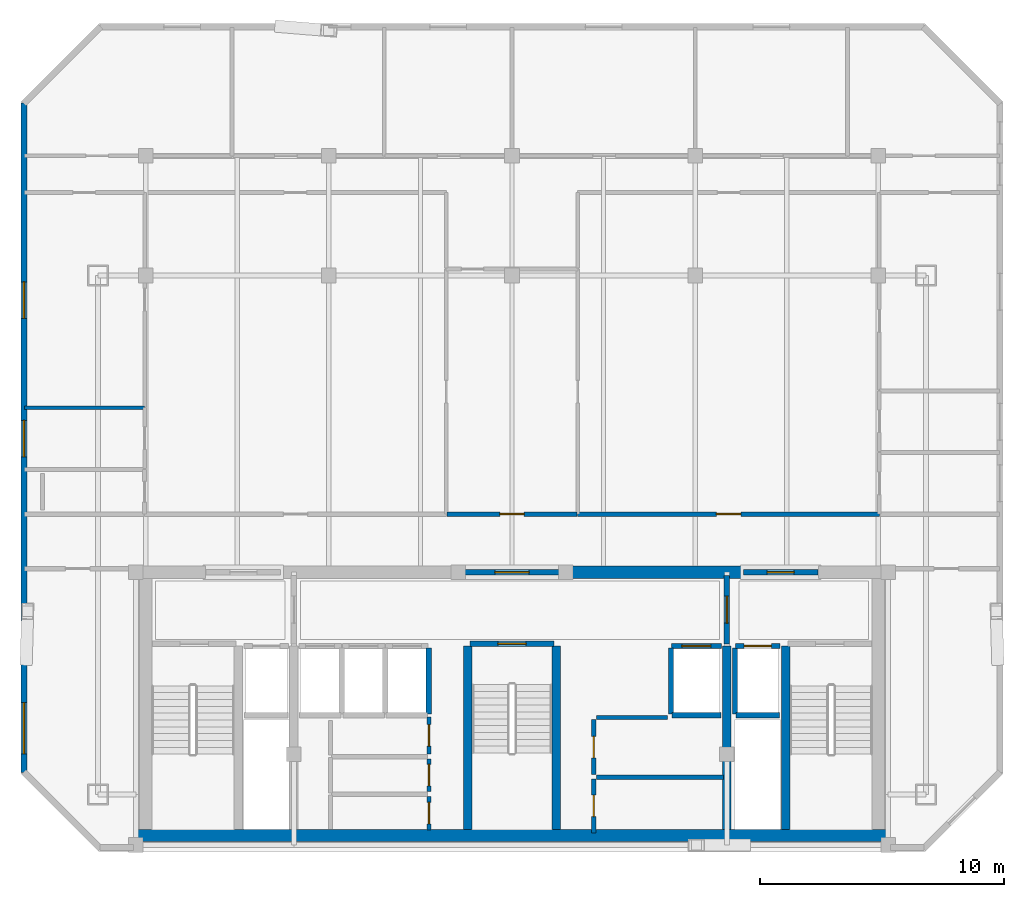
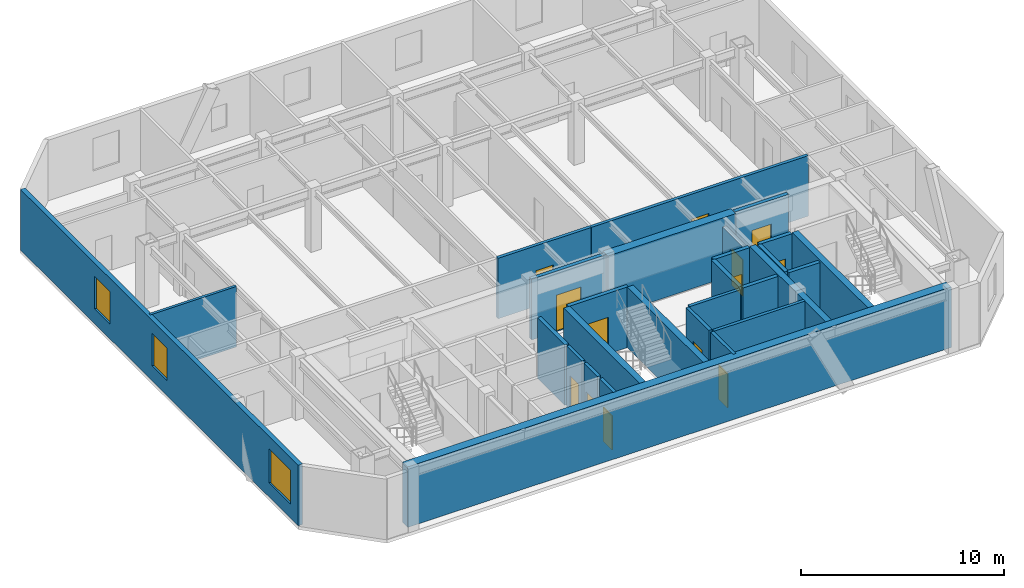
# One storey, part 3 of 6: 28 walls, 13 doors, 3 windows, 16 openings.
"""IFC4 building model written with IfcOpenShell, lengths in metres."""

from ifc_helpers import new_model, si_unit, direction, frame, frame_2d, origin, place, context, subcontext, project, spatial, rectangle, extrude, material, layer, layer_set, type_object, element, fill, save


model = new_model("IFC4")

# Units and contexts
model_context = context("Model", 3, precision=1e-05, world=origin(), true_north=direction((0.0, 1.0)))
body_context = subcontext(model_context, "Body", "Model", "MODEL_VIEW")
ifc_project = project(units=[si_unit("LENGTHUNIT", "METRE"), si_unit("AREAUNIT", "SQUARE_METRE"), si_unit("VOLUMEUNIT", "CUBIC_METRE"), si_unit("PLANEANGLEUNIT", "RADIAN"), si_unit("MASSUNIT", "GRAM", prefix="KILO")], contexts=[model_context])

# Site, building, storey
site_placement = place(None, origin())
site = spatial("IfcSite", under=ifc_project, at=site_placement, CompositionType="ELEMENT")
building_placement = place(site_placement, origin())
building = spatial("IfcBuilding", under=site, at=building_placement, Name="Ventersveld Concourse Tower", CompositionType="ELEMENT")
storey_placement = place(building_placement, frame((0.0, 0.0, 296.449951171875)))
storey = spatial("IfcBuildingStorey", under=building, at=storey_placement, Name="L73", CompositionType="ELEMENT", Elevation=296.449951171875)

# Walls
ifc_material_1 = material(Name="Concrete C50/60", Category="concrete")
ifc_layer_1 = layer(ifc_material_1, 0.35009765625)
ifc_layer_set_1 = layer_set([ifc_layer_1], Name="Concrete C50/60")
wall_type_1 = type_object("IfcWallType", Name="WL-CORE-350U", PredefinedType="SHEAR", material=ifc_layer_set_1)
for number, where, z_axis, x_axis, name in (
    (1, (26.93994140625, 0.919921875, 0.0), (0.0, 0.0, 1.0), (0.0, 1.0, 0.0), "L73 Core Internal Shear Web W-ST3-W"),
    (2, (30.56005859375, 0.919921875, 0.0), (0.0, 0.0, 1.0), (0.0, 1.0, 0.0), "L73 Core Internal Shear Web W-ST3-E"),
    (3, (37.550048828125, 0.919921875, 0.0), (0.0, 0.0, 1.0), (0.0, 1.0, 0.0), "L73 Core Internal Shear Web W-SVL-W"),
    (4, (39.9599609375, 0.919921875, 0.0), (0.0, 0.0, 1.0), (0.0, 1.0, 0.0), "L73 Core Internal Shear Web W-ST2-W"),
):
    element("IfcWall", number, at=place(storey_placement, frame(where, z_axis=z_axis, x_axis=x_axis)), inside=storey, type_object=wall_type_1, Name=name, PredefinedType="SHEAR", context=body_context, shape_type="SweptSolid", body=[
        extrude(rectangle(XDim=7.5, YDim=0.35009765625, at=frame_2d((3.75, 0.0))), origin(), (0.0, 0.0, 1.0), 3.650146484375),
    ])
ifc_layer_2 = layer(ifc_material_1, 0.5)
ifc_layer_set_2 = layer_set([ifc_layer_2], Name="Concrete C50/60")
wall_type_2 = type_object("IfcWallType", Name="WL-CORE-500", PredefinedType="SHEAR", material=ifc_layer_set_2)
wall_1_placement = place(storey_placement, frame((13.25, 0.669921875, 0.0), z_axis=(0.0, 0.0, 1.0), x_axis=(1.0, 0.0, 0.0)))
element("IfcWall", 5, at=wall_1_placement, inside=storey, type_object=wall_type_2, Name="L73 Rear Core South Shear Wall", PredefinedType="SHEAR", context=body_context, shape_type="SweptSolid", body=[
    extrude(rectangle(XDim=31.0, YDim=0.5, at=frame_2d((15.5, 0.0))), origin(), (0.0, 0.0, 1.0), 3.650146484375),
])
wall_2_placement = place(storey_placement, frame((30.89990234375, 11.449951171875, 0.0), z_axis=(0.0, 0.0, 1.0), x_axis=(1.0, 0.0, 0.0)))
element("IfcWall", 6, at=wall_2_placement, inside=storey, type_object=wall_type_2, Name="L73 Rear Core North Shear Wall NMR", PredefinedType="SHEAR", context=body_context, shape_type="SweptSolid", body=[
    extrude(rectangle(XDim=7.300048828125, YDim=0.5, at=frame_2d((3.64990234375, 0.0))), origin(), (0.0, 0.0, 1.0), 3.650146484375),
])

# Wall, opening, door
ifc_material_2 = material(Name="Fire-rated autoclaved aerated masonry blockwork", Category="masonry")
ifc_layer_3 = layer(ifc_material_2, 0.179931640625)
ifc_layer_set_3 = layer_set([ifc_layer_3], Name="Fire-rated autoclaved aerated masonry blockwork")
wall_type_3 = type_object("IfcWallType", Name="WL-CORR-180", PredefinedType="PARTITIONING", material=ifc_layer_set_3)
wall_3_placement = place(storey_placement, frame((25.35009765625, 0.89990234375, 0.0), z_axis=(0.0, 0.0, 1.0), x_axis=(0.0, 1.0, 0.0)))
wall_3 = element("IfcWall", 7, at=wall_3_placement, inside=storey, type_object=wall_type_3, Name="L73 Core Passage Wall SP-L73-RECB1S", PredefinedType="PARTITIONING", context=body_context, shape_type="SweptSolid", body=[
    extrude(rectangle(XDim=1.3701171875, YDim=0.179931640625, at=frame_2d((0.68505859375, 0.0))), origin(), (0.0, 0.0, 1.0), 3.650146484375),
])
opening_1_placement = place(wall_3_placement, frame((0.2451171875, 0.0, 0.0)))
opening_1 = element("IfcOpeningElement", 8, at=opening_1_placement, cuts=wall_3, Name="Opening FD5", PredefinedType="OPENING", context=body_context, shape_type="SweptSolid", body=[
    extrude(rectangle(XDim=0.8798828125, YDim=2.050048828125, at=frame_2d((0.43994140625, 1.02490234375))), frame((0.0, 0.10009765625, 0.0), z_axis=(0.0, -1.0, 0.0), x_axis=(1.0, 0.0, 0.0)), (0.0, 0.0, 1.0), 0.199951171875),
])
ifc_material_3 = material(Name="Galvanised painted steel", Category="steel")
door_type_1 = type_object("IfcDoorType", Name="DR-RISER-088", OperationType="NOTDEFINED", PredefinedType="DOOR", material=ifc_material_3)
door_1_placement = place(opening_1_placement, origin())
door_1 = element("IfcDoor", 9, at=door_1_placement, inside=storey, type_object=door_type_1, Name="L73 Core Room Door L73 Reclaimed Core Wine Cellar Store (CD-L73-3375)", OperationType="SINGLE_SWING_RIGHT", OverallHeight=2.050048828125, OverallWidth=0.8798828125, PredefinedType="DOOR", context=body_context, shape_type="SweptSolid", body=[
    extrude(rectangle(XDim=0.8798828125, YDim=2.050048828125, at=frame_2d((0.43994140625, 1.02490234375))), frame((0.0, 0.02490234375, 0.0), z_axis=(0.0, -1.0, 0.0), x_axis=(1.0, 0.0, 0.0)), (0.0, 0.0, 1.0), 0.050048828125),
])
fill(opening_1, door_1)

wall_4_placement = place(storey_placement, frame((25.35009765625, 2.469970703125, 0.0), z_axis=(0.0, 0.0, 1.0), x_axis=(0.0, 1.0, 0.0)))
wall_4 = element("IfcWall", 10, at=wall_4_placement, inside=storey, type_object=wall_type_3, Name="L73 Core Passage Wall SP-L73-RECB1M", PredefinedType="PARTITIONING", context=body_context, shape_type="SweptSolid", body=[
    extrude(rectangle(XDim=1.340087890625, YDim=0.179931640625, at=frame_2d((0.669921875, 0.0))), origin(), (0.0, 0.0, 1.0), 3.650146484375),
])
opening_2_placement = place(wall_4_placement, frame((0.22998046875, 0.0, 0.0)))
opening_2 = element("IfcOpeningElement", 11, at=opening_2_placement, cuts=wall_4, Name="Opening FD5", PredefinedType="OPENING", context=body_context, shape_type="SweptSolid", body=[
    extrude(rectangle(XDim=0.8798828125, YDim=2.050048828125, at=frame_2d((0.43994140625, 1.02490234375))), frame((0.0, 0.10009765625, 0.0), z_axis=(0.0, -1.0, 0.0), x_axis=(1.0, 0.0, 0.0)), (0.0, 0.0, 1.0), 0.199951171875),
])
door_2_placement = place(opening_2_placement, origin())
door_2 = element("IfcDoor", 12, at=door_2_placement, inside=storey, type_object=door_type_1, Name="L73 Core Room Door L73 Reclaimed Core Archive Store (CD-L73-3376)", OperationType="SINGLE_SWING_LEFT", OverallHeight=2.050048828125, OverallWidth=0.8798828125, PredefinedType="DOOR", context=body_context, shape_type="SweptSolid", body=[
    extrude(rectangle(XDim=0.8798828125, YDim=2.050048828125, at=frame_2d((0.43994140625, 1.02490234375))), frame((0.0, 0.02490234375, 0.0), z_axis=(0.0, -1.0, 0.0), x_axis=(1.0, 0.0, 0.0)), (0.0, 0.0, 1.0), 0.050048828125),
])
fill(opening_2, door_2)

wall_5_placement = place(storey_placement, frame((25.35009765625, 4.010009765625, 0.0), z_axis=(0.0, 0.0, 1.0), x_axis=(0.0, 1.0, 0.0)))
wall_5 = element("IfcWall", 13, at=wall_5_placement, inside=storey, type_object=wall_type_3, Name="L73 Core Passage Wall SP-L73-RECB1N", PredefinedType="PARTITIONING", context=body_context, shape_type="SweptSolid", body=[
    extrude(rectangle(XDim=1.510009765625, YDim=0.179931640625, at=frame_2d((0.7548828125, 0.0))), origin(), (0.0, 0.0, 1.0), 3.650146484375),
])
opening_3_placement = place(wall_5_placement, frame((0.31494140625, 0.0, 0.0)))
opening_3 = element("IfcOpeningElement", 14, at=opening_3_placement, cuts=wall_5, Name="Opening FD5", PredefinedType="OPENING", context=body_context, shape_type="SweptSolid", body=[
    extrude(rectangle(XDim=0.8798828125, YDim=2.050048828125, at=frame_2d((0.43994140625, 1.02490234375))), frame((0.0, 0.10009765625, 0.0), z_axis=(0.0, -1.0, 0.0), x_axis=(1.0, 0.0, 0.0)), (0.0, 0.0, 1.0), 0.199951171875),
])
door_3_placement = place(opening_3_placement, origin())
door_3 = element("IfcDoor", 15, at=door_3_placement, inside=storey, type_object=door_type_1, Name="L73 Core Room Door L73 Reclaimed Core Pram and Cycle Store (CD-L73-3377)", OperationType="SINGLE_SWING_RIGHT", OverallHeight=2.050048828125, OverallWidth=0.8798828125, PredefinedType="DOOR", context=body_context, shape_type="SweptSolid", body=[
    extrude(rectangle(XDim=0.8798828125, YDim=2.050048828125, at=frame_2d((0.43994140625, 1.02490234375))), frame((0.0, 0.02490234375, 0.0), z_axis=(0.0, -1.0, 0.0), x_axis=(1.0, 0.0, 0.0)), (0.0, 0.0, 1.0), 0.050048828125),
])
fill(opening_3, door_3)

wall_6_placement = place(storey_placement, frame((32.10009765625, 0.780029296875, 0.0), z_axis=(0.0, 0.0, 1.0), x_axis=(0.0, 1.0, 0.0)))
wall_6 = element("IfcWall", 16, at=wall_6_placement, inside=storey, type_object=wall_type_3, Name="L73 Core Passage Wall SP-L73-RECB2S", PredefinedType="PARTITIONING", context=body_context, shape_type="SweptSolid", body=[
    extrude(rectangle(XDim=2.199951171875, YDim=0.179931640625, at=frame_2d((1.10009765625, 0.0))), origin(), (0.0, 0.0, 1.0), 3.650146484375),
])
opening_4_placement = place(wall_6_placement, frame((0.659912109375, 0.0, 0.0)))
opening_4 = element("IfcOpeningElement", 17, at=opening_4_placement, cuts=wall_6, Name="Opening FD5", PredefinedType="OPENING", context=body_context, shape_type="SweptSolid", body=[
    extrude(rectangle(XDim=0.8798828125, YDim=2.050048828125, at=frame_2d((0.43994140625, 1.02490234375))), frame((0.0, 0.10009765625, 0.0), z_axis=(0.0, -1.0, 0.0), x_axis=(1.0, 0.0, 0.0)), (0.0, 0.0, 1.0), 0.199951171875),
])
door_4_placement = place(opening_4_placement, origin())
door_4 = element("IfcDoor", 18, at=door_4_placement, inside=storey, type_object=door_type_1, Name="L73 Core Room Door L73 Reclaimed Core Quiet Library Pod (CD-L73-3378)", OperationType="SINGLE_SWING_LEFT", OverallHeight=2.050048828125, OverallWidth=0.8798828125, PredefinedType="DOOR", context=body_context, shape_type="SweptSolid", body=[
    extrude(rectangle(XDim=0.8798828125, YDim=2.050048828125, at=frame_2d((0.43994140625, 1.02490234375))), frame((0.0, 0.02490234375, 0.0), z_axis=(0.0, -1.0, 0.0), x_axis=(1.0, 0.0, 0.0)), (0.0, 0.0, 1.0), 0.050048828125),
])
fill(opening_4, door_4)

# Wall
wall_7_placement = place(storey_placement, frame((32.219970703125, 3.06005859375, 0.0), z_axis=(0.0, 0.0, 1.0), x_axis=(1.0, 0.0, 0.0)))
element("IfcWall", 19, at=wall_7_placement, inside=storey, type_object=wall_type_3, Name="L73 Core Top Wall SP-L73-RECB2S", PredefinedType="PARTITIONING", context=body_context, shape_type="SweptSolid", body=[
    extrude(rectangle(XDim=5.179931640625, YDim=0.179931640625, at=frame_2d((2.58984375, 0.0))), origin(), (0.0, 0.0, 1.0), 3.650146484375),
])

# Wall, opening, door
wall_8_placement = place(storey_placement, frame((32.10009765625, 3.159912109375, 0.0), z_axis=(0.0, 0.0, 1.0), x_axis=(0.0, 1.0, 0.0)))
wall_8 = element("IfcWall", 20, at=wall_8_placement, inside=storey, type_object=wall_type_3, Name="L73 Core Passage Wall SP-L73-RECB2N", PredefinedType="PARTITIONING", context=body_context, shape_type="SweptSolid", body=[
    extrude(rectangle(XDim=2.260009765625, YDim=0.179931640625, at=frame_2d((1.1298828125, 0.0))), origin(), (0.0, 0.0, 1.0), 3.650146484375),
])
opening_5_placement = place(wall_8_placement, frame((0.68994140625, 0.0, 0.0)))
opening_5 = element("IfcOpeningElement", 21, at=opening_5_placement, cuts=wall_8, Name="Opening FD5", PredefinedType="OPENING", context=body_context, shape_type="SweptSolid", body=[
    extrude(rectangle(XDim=0.8798828125, YDim=2.050048828125, at=frame_2d((0.43994140625, 1.02490234375))), frame((0.0, 0.10009765625, 0.0), z_axis=(0.0, -1.0, 0.0), x_axis=(1.0, 0.0, 0.0)), (0.0, 0.0, 1.0), 0.199951171875),
])
door_5_placement = place(opening_5_placement, origin())
door_5 = element("IfcDoor", 22, at=door_5_placement, inside=storey, type_object=door_type_1, Name="L73 Core Room Door L73 Reclaimed Core Music Practice Room (CD-L73-3379)", OperationType="SINGLE_SWING_RIGHT", OverallHeight=2.050048828125, OverallWidth=0.8798828125, PredefinedType="DOOR", context=body_context, shape_type="SweptSolid", body=[
    extrude(rectangle(XDim=0.8798828125, YDim=2.050048828125, at=frame_2d((0.43994140625, 1.02490234375))), frame((0.0, 0.02490234375, 0.0), z_axis=(0.0, -1.0, 0.0), x_axis=(1.0, 0.0, 0.0)), (0.0, 0.0, 1.0), 0.050048828125),
])
fill(opening_5, door_5)

# Wall
wall_9_placement = place(storey_placement, frame((32.219970703125, 5.5, 0.0), z_axis=(0.0, 0.0, 1.0), x_axis=(1.0, 0.0, 0.0)))
element("IfcWall", 23, at=wall_9_placement, inside=storey, type_object=wall_type_3, Name="L73 Core Top Wall SP-L73-RECB2N", PredefinedType="PARTITIONING", context=body_context, shape_type="SweptSolid", body=[
    extrude(rectangle(XDim=2.900146484375, YDim=0.179931640625, at=frame_2d((1.4501953125, 0.0))), origin(), (0.0, 0.0, 1.0), 3.650146484375),
])

# Wall, opening, door
wall_10_placement = place(storey_placement, frame((31.43505859375, 13.830078125, 0.0), z_axis=(0.0, 0.0, 1.0), x_axis=(1.0, 0.0, 0.0)))
wall_10 = element("IfcWall", 24, at=wall_10_placement, inside=storey, type_object=wall_type_3, Name="L73 Interior Partition SP-L73-COR-SP-L73-73N1-EGAL1", PredefinedType="PARTITIONING", context=body_context, shape_type="SweptSolid", body=[
    extrude(rectangle(XDim=12.362548828125, YDim=0.179931640625, at=frame_2d((6.18115234375, 0.0))), origin(), (0.0, 0.0, 1.0), 3.650146484375),
])
opening_6_placement = place(wall_10_placement, frame((5.681396484375, 0.0, 0.0)))
opening_6 = element("IfcOpeningElement", 25, at=opening_6_placement, cuts=wall_10, Name="Opening FD3", PredefinedType="OPENING", context=body_context, shape_type="SweptSolid", body=[
    extrude(rectangle(XDim=1.0, YDim=2.14990234375, at=frame_2d((0.5, 1.074951171875))), frame((0.0, 0.10009765625, 0.0), z_axis=(0.0, -1.0, 0.0), x_axis=(1.0, 0.0, 0.0)), (0.0, 0.0, 1.0), 0.199951171875),
])
ifc_material_4 = material(Name="Solid-core hardwood veneer timber", Category="wood")
door_type_2 = type_object("IfcDoorType", Name="DR-FLAT-100", OperationType="NOTDEFINED", PredefinedType="DOOR", material=ifc_material_4)
door_6_placement = place(opening_6_placement, origin())
door_6 = element("IfcDoor", 26, at=door_6_placement, inside=storey, type_object=door_type_2, Name="L73 Interior Door SP-L73-COR to SP-L73-73N1-EGAL1 (FD-L73-3383)", OperationType="SINGLE_SWING_LEFT", OverallHeight=2.14990234375, OverallWidth=1.0, PredefinedType="DOOR", context=body_context, shape_type="SweptSolid", body=[
    extrude(rectangle(XDim=1.0, YDim=2.14990234375, at=frame_2d((0.5, 1.074951171875))), frame((0.0, 0.02490234375, 0.0), z_axis=(0.0, -1.0, 0.0), x_axis=(1.0, 0.0, 0.0)), (0.0, 0.0, 1.0), 0.050048828125),
])
fill(opening_6, door_6)

wall_11_placement = place(storey_placement, frame((26.094970703125, 13.830078125, 0.0), z_axis=(0.0, 0.0, 1.0), x_axis=(1.0, 0.0, 0.0)))
wall_11 = element("IfcWall", 27, at=wall_11_placement, inside=storey, type_object=wall_type_3, Name="L73 Interior Partition SP-L73-COR-SP-L73-73N1-FOY", PredefinedType="PARTITIONING", context=body_context, shape_type="SweptSolid", body=[
    extrude(rectangle(XDim=5.31005859375, YDim=0.179931640625, at=frame_2d((2.655029296875, 0.0))), origin(), (0.0, 0.0, 1.0), 3.650146484375),
])
opening_7_placement = place(wall_11_placement, frame((2.155029296875, 0.0, 0.0)))
opening_7 = element("IfcOpeningElement", 28, at=opening_7_placement, cuts=wall_11, Name="Opening FD3", PredefinedType="OPENING", context=body_context, shape_type="SweptSolid", body=[
    extrude(rectangle(XDim=1.0, YDim=2.14990234375, at=frame_2d((0.5, 1.074951171875))), frame((0.0, 0.10009765625, 0.0), z_axis=(0.0, -1.0, 0.0), x_axis=(1.0, 0.0, 0.0)), (0.0, 0.0, 1.0), 0.199951171875),
])
door_7_placement = place(opening_7_placement, origin())
door_7 = element("IfcDoor", 29, at=door_7_placement, inside=storey, type_object=door_type_2, Name="L73 Interior Door SP-L73-COR to SP-L73-73N1-FOY (FD-L73-3384)", OperationType="SINGLE_SWING_RIGHT", OverallHeight=2.14990234375, OverallWidth=1.0, PredefinedType="DOOR", context=body_context, shape_type="SweptSolid", body=[
    extrude(rectangle(XDim=1.0, YDim=2.14990234375, at=frame_2d((0.5, 1.074951171875))), frame((0.0, 0.02490234375, 0.0), z_axis=(0.0, -1.0, 0.0), x_axis=(1.0, 0.0, 0.0)), (0.0, 0.0, 1.0), 0.050048828125),
])
fill(opening_7, door_7)

# Walls
ifc_layer_4 = layer(ifc_material_2, 0.219970703125)
ifc_layer_set_4 = layer_set([ifc_layer_4], Name="Fire-rated autoclaved aerated masonry blockwork")
wall_type_4 = type_object("IfcWallType", Name="WL-HOIST-220", PredefinedType="SOLIDWALL", material=ifc_layer_set_4)
wall_12_placement = place(storey_placement, frame((37.919921875, 5.590087890625, 0.0), z_axis=(0.0, 0.0, 1.0), x_axis=(1.0, 0.0, 0.0)))
element("IfcWall", 30, at=wall_12_placement, inside=storey, type_object=wall_type_4, Name="L73 Lift Hoistway Back Wall FFL-02", PredefinedType="SOLIDWALL", context=body_context, shape_type="SweptSolid", body=[
    extrude(rectangle(XDim=1.780029296875, YDim=0.219970703125, at=frame_2d((0.89013671875, 0.0))), origin(), (0.0, 0.0, 1.0), 3.650146484375),
])
wall_13_placement = place(storey_placement, frame((37.8798828125, 5.64990234375, 0.0), z_axis=(0.0, 0.0, 1.0), x_axis=(0.0, 1.0, 0.0)))
element("IfcWall", 31, at=wall_13_placement, inside=storey, type_object=wall_type_4, Name="L73 Lift Hoistway Side Wall FFL-02W", PredefinedType="SOLIDWALL", context=body_context, shape_type="SweptSolid", body=[
    extrude(rectangle(XDim=2.7001953125, YDim=0.219970703125, at=frame_2d((1.35009765625, 0.0))), origin(), (0.0, 0.0, 1.0), 3.650146484375),
])

# Wall, opening, door
wall_14_placement = place(storey_placement, frame((37.89990234375, 8.429931640625, 0.0), z_axis=(0.0, 0.0, 1.0), x_axis=(1.0, 0.0, 0.0)))
wall_14 = element("IfcWall", 32, at=wall_14_placement, inside=storey, type_object=wall_type_4, Name="L73 Lift Hoistway Front Wall FFL-02", PredefinedType="SOLIDWALL", context=body_context, shape_type="SweptSolid", body=[
    extrude(rectangle(XDim=1.820068359375, YDim=0.219970703125, at=frame_2d((0.91015625, 0.0))), origin(), (0.0, 0.0, 1.0), 3.650146484375),
])
opening_8_placement = place(wall_14_placement, frame((0.35009765625, 0.0, 0.0)))
opening_8 = element("IfcOpeningElement", 33, at=opening_8_placement, cuts=wall_14, Name="Opening LD1", PredefinedType="OPENING", context=body_context, shape_type="SweptSolid", body=[
    extrude(rectangle(XDim=1.1201171875, YDim=2.25, at=frame_2d((0.56005859375, 1.125))), frame((0.0, 0.1201171875, 0.0), z_axis=(0.0, -1.0, 0.0), x_axis=(1.0, 0.0, 0.0)), (0.0, 0.0, 1.0), 0.239990234375),
])
ifc_material_5 = material(Name="Brushed stainless steel 316", Category="steel")
door_type_3 = type_object("IfcDoorType", Name="LD-FF-112", OperationType="SLIDING_TO_LEFT", PredefinedType="DOOR", material=ifc_material_5)
door_8_placement = place(opening_8_placement, origin())
door_8 = element("IfcDoor", 34, at=door_8_placement, inside=storey, type_object=door_type_3, Name="L73 Lift landing door FFL-02 (LD-L73-FFL-02)", OperationType="SLIDING_TO_LEFT", OverallHeight=2.25, OverallWidth=1.1201171875, PredefinedType="DOOR", context=body_context, shape_type="SweptSolid", body=[
    extrude(rectangle(XDim=1.1201171875, YDim=2.25, at=frame_2d((0.56005859375, 1.125))), frame((0.0, 0.02490234375, 0.0), z_axis=(0.0, -1.0, 0.0), x_axis=(1.0, 0.0, 0.0)), (0.0, 0.0, 1.0), 0.050048828125),
])
fill(opening_8, door_8)

# Walls
wall_15_placement = place(storey_placement, frame((35.300048828125, 5.590087890625, 0.0), z_axis=(0.0, 0.0, 1.0), x_axis=(1.0, 0.0, 0.0)))
element("IfcWall", 35, at=wall_15_placement, inside=storey, type_object=wall_type_4, Name="L73 Lift Hoistway Back Wall SVL-01", PredefinedType="SOLIDWALL", context=body_context, shape_type="SweptSolid", body=[
    extrude(rectangle(XDim=2.0, YDim=0.219970703125, at=frame_2d((1.0, 0.0))), origin(), (0.0, 0.0, 1.0), 3.650146484375),
])
wall_16_placement = place(storey_placement, frame((35.260009765625, 5.64990234375, 0.0), z_axis=(0.0, 0.0, 1.0), x_axis=(0.0, 1.0, 0.0)))
element("IfcWall", 36, at=wall_16_placement, inside=storey, type_object=wall_type_4, Name="L73 Lift Hoistway Side Wall SVL-01W", PredefinedType="SOLIDWALL", context=body_context, shape_type="SweptSolid", body=[
    extrude(rectangle(XDim=2.7001953125, YDim=0.219970703125, at=frame_2d((1.35009765625, 0.0))), origin(), (0.0, 0.0, 1.0), 3.650146484375),
])

# Wall, opening, door
wall_17_placement = place(storey_placement, frame((35.280029296875, 8.429931640625, 0.0), z_axis=(0.0, 0.0, 1.0), x_axis=(1.0, 0.0, 0.0)))
wall_17 = element("IfcWall", 37, at=wall_17_placement, inside=storey, type_object=wall_type_4, Name="L73 Lift Hoistway Front Wall SVL-01", PredefinedType="SOLIDWALL", context=body_context, shape_type="SweptSolid", body=[
    extrude(rectangle(XDim=2.0400390625, YDim=0.219970703125, at=frame_2d((1.02001953125, 0.0))), origin(), (0.0, 0.0, 1.0), 3.650146484375),
])
opening_9_placement = place(wall_17_placement, frame((0.429931640625, 0.0, 0.0)))
opening_9 = element("IfcOpeningElement", 38, at=opening_9_placement, cuts=wall_17, Name="Opening LD2", PredefinedType="OPENING", context=body_context, shape_type="SweptSolid", body=[
    extrude(rectangle(XDim=1.179931640625, YDim=2.199951171875, at=frame_2d((0.58984375, 1.10009765625))), frame((0.0, 0.1201171875, 0.0), z_axis=(0.0, -1.0, 0.0), x_axis=(1.0, 0.0, 0.0)), (0.0, 0.0, 1.0), 0.239990234375),
])
door_type_4 = type_object("IfcDoorType", Name="LD-PAX-118", OperationType="SLIDING_TO_LEFT", PredefinedType="DOOR", material=ifc_material_5)
door_9_placement = place(opening_9_placement, origin())
door_9 = element("IfcDoor", 39, at=door_9_placement, inside=storey, type_object=door_type_4, Name="L73 Lift landing door SVL-01 (LD-L73-SVL-01)", OperationType="SLIDING_TO_RIGHT", OverallHeight=2.199951171875, OverallWidth=1.179931640625, PredefinedType="DOOR", context=body_context, shape_type="SweptSolid", body=[
    extrude(rectangle(XDim=1.179931640625, YDim=2.199951171875, at=frame_2d((0.58984375, 1.10009765625))), frame((0.0, 0.02490234375, 0.0), z_axis=(0.0, -1.0, 0.0), x_axis=(1.0, 0.0, 0.0)), (0.0, 0.0, 1.0), 0.050048828125),
])
fill(opening_9, door_9)

# Wall
wall_18_placement = place(storey_placement, frame((25.340087890625, 5.64990234375, 0.0), z_axis=(0.0, 0.0, 1.0), x_axis=(0.0, 1.0, 0.0)))
element("IfcWall", 40, at=wall_18_placement, inside=storey, type_object=wall_type_4, Name="L73 Lift Hoistway Side Wall PH-03E", PredefinedType="SOLIDWALL", context=body_context, shape_type="SweptSolid", body=[
    extrude(rectangle(XDim=2.7001953125, YDim=0.219970703125, at=frame_2d((1.35009765625, 0.0))), origin(), (0.0, 0.0, 1.0), 3.650146484375),
])

# Wall, opening, door
wall_19_placement = place(storey_placement, frame((27.0400390625, 8.52001953125, 0.0), z_axis=(0.0, 0.0, 1.0), x_axis=(1.0, 0.0, 0.0)))
wall_19 = element("IfcWall", 41, at=wall_19_placement, inside=storey, type_object=wall_type_4, Name="L73 Escape Stair ST03 Fire Wall", PredefinedType="SOLIDWALL", context=body_context, shape_type="SweptSolid", body=[
    extrude(rectangle(XDim=3.419921875, YDim=0.219970703125, at=frame_2d((1.7099609375, 0.0))), origin(), (0.0, 0.0, 1.0), 3.650146484375),
])
opening_10_placement = place(wall_19_placement, frame((1.135009765625, 0.0, 0.0)))
opening_10 = element("IfcOpeningElement", 42, at=opening_10_placement, cuts=wall_19, Name="Opening FD1", PredefinedType="OPENING", context=body_context, shape_type="SweptSolid", body=[
    extrude(rectangle(XDim=1.14990234375, YDim=2.199951171875, at=frame_2d((0.574951171875, 1.10009765625))), frame((0.0, 0.1201171875, 0.0), z_axis=(0.0, -1.0, 0.0), x_axis=(1.0, 0.0, 0.0)), (0.0, 0.0, 1.0), 0.239990234375),
])
door_type_5 = type_object("IfcDoorType", Name="DR-STAIR-115", OperationType="NOTDEFINED", PredefinedType="DOOR", material=ifc_material_3)
door_10_placement = place(opening_10_placement, origin())
door_10 = element("IfcDoor", 43, at=door_10_placement, inside=storey, type_object=door_type_5, Name="L73 Escape Stair Door ST03 (SD-L73-3369)", OperationType="SINGLE_SWING_LEFT", OverallHeight=2.199951171875, OverallWidth=1.14990234375, PredefinedType="DOOR", context=body_context, shape_type="SweptSolid", body=[
    extrude(rectangle(XDim=1.14990234375, YDim=2.199951171875, at=frame_2d((0.574951171875, 1.10009765625))), frame((0.0, 0.02490234375, 0.0), z_axis=(0.0, -1.0, 0.0), x_axis=(1.0, 0.0, 0.0)), (0.0, 0.0, 1.0), 0.050048828125),
])
fill(opening_10, door_10)

wall_20_placement = place(storey_placement, frame((37.550048828125, 8.52001953125, 0.0), z_axis=(0.0, 0.0, 1.0), x_axis=(0.0, 1.0, 0.0)))
wall_20 = element("IfcWall", 44, at=wall_20_placement, inside=storey, type_object=wall_type_4, Name="L73 Firefighting Lobby Smoke-Stop Wall FFLE-SEP", PredefinedType="SOLIDWALL", context=body_context, shape_type="SweptSolid", body=[
    extrude(rectangle(XDim=2.800048828125, YDim=0.219970703125, at=frame_2d((1.39990234375, 0.0))), origin(), (0.0, 0.0, 1.0), 3.10546875),
])
opening_11_placement = place(wall_20_placement, frame((0.85009765625, 0.0, 0.0)))
opening_11 = element("IfcOpeningElement", 45, at=opening_11_placement, cuts=wall_20, Name="Opening FD2", PredefinedType="OPENING", context=body_context, shape_type="SweptSolid", body=[
    extrude(rectangle(XDim=1.10009765625, YDim=2.199951171875, at=frame_2d((0.550048828125, 1.10009765625))), frame((0.0, 0.1201171875, 0.0), z_axis=(0.0, -1.0, 0.0), x_axis=(1.0, 0.0, 0.0)), (0.0, 0.0, 1.0), 0.239990234375),
])
door_type_6 = type_object("IfcDoorType", Name="DR-FFL-110", OperationType="NOTDEFINED", PredefinedType="DOOR", material=ifc_material_3)
door_11_placement = place(opening_11_placement, origin())
door_11 = element("IfcDoor", 46, at=door_11_placement, inside=storey, type_object=door_type_6, Name="L73 Firefighting Lobby Door FFLE-SEP (FD-L73-3371)", OperationType="SINGLE_SWING_RIGHT", OverallHeight=2.199951171875, OverallWidth=1.10009765625, PredefinedType="DOOR", context=body_context, shape_type="SweptSolid", body=[
    extrude(rectangle(XDim=1.10009765625, YDim=2.199951171875, at=frame_2d((0.550048828125, 1.10009765625))), frame((0.0, 0.02490234375, 0.0), z_axis=(0.0, -1.0, 0.0), x_axis=(1.0, 0.0, 0.0)), (0.0, 0.0, 1.0), 0.050048828125),
])
fill(opening_11, door_11)

wall_21_placement = place(storey_placement, frame((26.6298828125, 11.449951171875, 0.0), z_axis=(0.0, 0.0, 1.0), x_axis=(1.0, 0.0, 0.0)))
wall_21 = element("IfcWall", 47, at=wall_21_placement, inside=storey, type_object=wall_type_4, Name="L73 Core North Fire Portal PLOB-OUT", PredefinedType="SOLIDWALL", context=body_context, shape_type="SweptSolid", body=[
    extrude(rectangle(XDim=4.240234375, YDim=0.219970703125, at=frame_2d((2.1201171875, 0.0))), origin(), (0.0, 0.0, 1.0), 3.650146484375),
])
opening_12_placement = place(wall_21_placement, frame((1.419921875, 0.0, 0.0)))
opening_12 = element("IfcOpeningElement", 48, at=opening_12_placement, cuts=wall_21, Name="Opening FD4", PredefinedType="OPENING", context=body_context, shape_type="SweptSolid", body=[
    extrude(rectangle(XDim=1.39990234375, YDim=2.199951171875, at=frame_2d((0.699951171875, 1.10009765625))), frame((0.0, 0.1201171875, 0.0), z_axis=(0.0, -1.0, 0.0), x_axis=(1.0, 0.0, 0.0)), (0.0, 0.0, 1.0), 0.239990234375),
])
door_type_7 = type_object("IfcDoorType", Name="DR-PLANT-140", OperationType="DOUBLE_DOOR_SINGLE_SWING", PredefinedType="DOOR", material=ifc_material_3)
door_12_placement = place(opening_12_placement, origin())
door_12 = element("IfcDoor", 49, at=door_12_placement, inside=storey, type_object=door_type_7, Name="L73 Core Lobby Fire Door PLOB-OUT (FD-L73-3373)", OperationType="DOUBLE_DOOR_SINGLE_SWING", OverallHeight=2.199951171875, OverallWidth=1.39990234375, PredefinedType="DOOR", context=body_context, shape_type="SweptSolid", body=[
    extrude(rectangle(XDim=1.39990234375, YDim=2.199951171875, at=frame_2d((0.699951171875, 1.10009765625))), frame((0.0, 0.02490234375, 0.0), z_axis=(0.0, -1.0, 0.0), x_axis=(1.0, 0.0, 0.0)), (0.0, 0.0, 1.0), 0.050048828125),
])
fill(opening_12, door_12)

wall_22_placement = place(storey_placement, frame((38.22998046875, 11.449951171875, 0.0), z_axis=(0.0, 0.0, 1.0), x_axis=(1.0, 0.0, 0.0)))
wall_22 = element("IfcWall", 50, at=wall_22_placement, inside=storey, type_object=wall_type_4, Name="L73 Core North Fire Portal FFLE-OUT", PredefinedType="SOLIDWALL", context=body_context, shape_type="SweptSolid", body=[
    extrude(rectangle(XDim=3.0400390625, YDim=0.219970703125, at=frame_2d((1.52001953125, 0.0))), origin(), (0.0, 0.0, 1.0), 3.650146484375),
])
opening_13_placement = place(wall_22_placement, frame((0.969970703125, 0.0, 0.0)))
opening_13 = element("IfcOpeningElement", 51, at=opening_13_placement, cuts=wall_22, Name="Opening FD2", PredefinedType="OPENING", context=body_context, shape_type="SweptSolid", body=[
    extrude(rectangle(XDim=1.10009765625, YDim=2.199951171875, at=frame_2d((0.550048828125, 1.10009765625))), frame((0.0, 0.1201171875, 0.0), z_axis=(0.0, -1.0, 0.0), x_axis=(1.0, 0.0, 0.0)), (0.0, 0.0, 1.0), 0.239990234375),
])
door_13_placement = place(opening_13_placement, origin())
door_13 = element("IfcDoor", 52, at=door_13_placement, inside=storey, type_object=door_type_6, Name="L73 Core Lobby Fire Door FFLE-OUT (FD-L73-3374)", OperationType="SINGLE_SWING_LEFT", OverallHeight=2.199951171875, OverallWidth=1.10009765625, PredefinedType="DOOR", context=body_context, shape_type="SweptSolid", body=[
    extrude(rectangle(XDim=1.10009765625, YDim=2.199951171875, at=frame_2d((0.550048828125, 1.10009765625))), frame((0.0, 0.02490234375, 0.0), z_axis=(0.0, -1.0, 0.0), x_axis=(1.0, 0.0, 0.0)), (0.0, 0.0, 1.0), 0.050048828125),
])
fill(opening_13, door_13)

# Wall
ifc_material_6 = material(Name="Autoclaved aerated masonry blockwork", Category="masonry")
ifc_layer_5 = layer(ifc_material_6, 0.14990234375)
ifc_layer_set_5 = layer_set([ifc_layer_5], Name="Autoclaved aerated masonry blockwork")
wall_type_5 = type_object("IfcWallType", Name="WL-INT-150", PredefinedType="PARTITIONING", material=ifc_layer_set_5)
wall_23_placement = place(storey_placement, frame((8.787109375, 18.181396484375, 0.0), z_axis=(0.0, 0.0, 1.0), x_axis=(1.0, 0.0, 0.0)))
element("IfcWall", 53, at=wall_23_placement, inside=storey, type_object=wall_type_5, Name="L73 Interior Partition SP-L73-73N1-PANL2-SP-L73-73N1-OFFL0", PredefinedType="PARTITIONING", context=body_context, shape_type="SweptSolid", body=[
    extrude(rectangle(XDim=4.92529296875, YDim=0.14990234375, at=frame_2d((2.462646484375, 0.0))), origin(), (0.0, 0.0, 1.0), 3.650146484375),
])

# Wall, openings, windows
ifc_material_7 = material(Name="Precast concrete C45/55", Category="concrete")
ifc_layer_6 = layer(ifc_material_7, 0.260009765625)
ifc_layer_set_6 = layer_set([ifc_layer_6], Name="Precast concrete C45/55")
wall_type_6 = type_object("IfcWallType", Name="WL-PREC-260", PredefinedType="SOLIDWALL", material=ifc_layer_set_6)
wall_24_placement = place(storey_placement, frame((8.767578125, 30.669921875, 0.0), z_axis=(0.0, 0.0, 1.0), x_axis=(0.0, -1.0, 0.0)))
wall_24 = element("IfcWall", 54, at=wall_24_placement, inside=storey, type_object=wall_type_6, Name="L73 Highveld Precast Facade Wall E07", PredefinedType="SOLIDWALL", context=body_context, shape_type="SweptSolid", body=[
    extrude(rectangle(XDim=27.429931640625, YDim=0.260009765625, at=frame_2d((13.71484375, 0.0))), origin(), (0.0, 0.0, 1.0), 3.650146484375),
])
opening_14_placement = place(wall_24_placement, frame((24.56005859375, 0.0, 0.85009765625)))
opening_14 = element("IfcOpeningElement", 55, at=opening_14_placement, cuts=wall_24, Name="Opening W7", PredefinedType="OPENING", context=body_context, shape_type="SweptSolid", body=[
    extrude(rectangle(XDim=2.10009765625, YDim=2.050048828125, at=frame_2d((1.050048828125, 1.02490234375))), frame((0.0, 0.14013671875, 0.0), z_axis=(0.0, -1.0, 0.0), x_axis=(1.0, 0.0, 0.0)), (0.0, 0.0, 1.0), 0.280029296875),
])
opening_15_placement = place(wall_24_placement, frame((12.999267578125, 0.0, 0.89990234375)))
opening_15 = element("IfcOpeningElement", 56, at=opening_15_placement, cuts=wall_24, Name="Opening W1", PredefinedType="OPENING", context=body_context, shape_type="SweptSolid", body=[
    extrude(rectangle(XDim=1.5, YDim=1.949951171875, at=frame_2d((0.75, 0.97509765625))), frame((0.0, 0.14013671875, 0.0), z_axis=(0.0, -1.0, 0.0), x_axis=(1.0, 0.0, 0.0)), (0.0, 0.0, 1.0), 0.280029296875),
])
opening_16_placement = place(wall_24_placement, frame((7.329345703125, 0.0, 0.89990234375)))
opening_16 = element("IfcOpeningElement", 57, at=opening_16_placement, cuts=wall_24, Name="Opening W1", PredefinedType="OPENING", context=body_context, shape_type="SweptSolid", body=[
    extrude(rectangle(XDim=1.5, YDim=1.949951171875, at=frame_2d((0.75, 0.97509765625))), frame((0.0, 0.14013671875, 0.0), z_axis=(0.0, -1.0, 0.0), x_axis=(1.0, 0.0, 0.0)), (0.0, 0.0, 1.0), 0.280029296875),
])
ifc_material_8 = material(Name="Tempered acoustic Low-E IGU", Category="glass")
window_type_1 = type_object("IfcWindowType", Name="WIN-150x210", PartitioningType="SINGLE_PANEL", PredefinedType="WINDOW", material=ifc_material_8)
window_1_placement = place(opening_15_placement, origin())
window_1 = element("IfcWindow", 58, at=window_1_placement, inside=storey, type_object=window_type_1, Name="L73 Punched Low-E Window W-1038", OverallHeight=1.949951171875, OverallWidth=1.5, PartitioningType="SINGLE_PANEL", PredefinedType="WINDOW", context=body_context, shape_type="SweptSolid", body=[
    extrude(rectangle(XDim=1.5, YDim=1.949951171875, at=frame_2d((0.75, 0.97509765625))), frame((0.0, 0.030029296875, 0.0), z_axis=(0.0, -1.0, 0.0), x_axis=(1.0, 0.0, 0.0)), (0.0, 0.0, 1.0), 0.06005859375),
])
fill(opening_15, window_1)
window_2_placement = place(opening_16_placement, origin())
window_2 = element("IfcWindow", 59, at=window_2_placement, inside=storey, type_object=window_type_1, Name="L73 Punched Low-E Window W-1039", OverallHeight=1.949951171875, OverallWidth=1.5, PartitioningType="SINGLE_PANEL", PredefinedType="WINDOW", context=body_context, shape_type="SweptSolid", body=[
    extrude(rectangle(XDim=1.5, YDim=1.949951171875, at=frame_2d((0.75, 0.97509765625))), frame((0.0, 0.030029296875, 0.0), z_axis=(0.0, -1.0, 0.0), x_axis=(1.0, 0.0, 0.0)), (0.0, 0.0, 1.0), 0.06005859375),
])
fill(opening_16, window_2)
window_type_2 = type_object("IfcWindowType", Name="WIN-210x205", PartitioningType="SINGLE_PANEL", PredefinedType="WINDOW", material=ifc_material_8)
window_3_placement = place(opening_14_placement, origin())
window_3 = element("IfcWindow", 60, at=window_3_placement, inside=storey, type_object=window_type_2, Name="L73 Punched Low-E Window W-1035", OverallHeight=2.050048828125, OverallWidth=2.10009765625, PartitioningType="SINGLE_PANEL", PredefinedType="WINDOW", context=body_context, shape_type="SweptSolid", body=[
    extrude(rectangle(XDim=2.10009765625, YDim=2.050048828125, at=frame_2d((1.050048828125, 1.02490234375))), frame((0.0, 0.030029296875, 0.0), z_axis=(0.0, -1.0, 0.0), x_axis=(1.0, 0.0, 0.0)), (0.0, 0.0, 1.0), 0.06005859375),
])
fill(opening_14, window_3)

save(model, "model.ifc")
